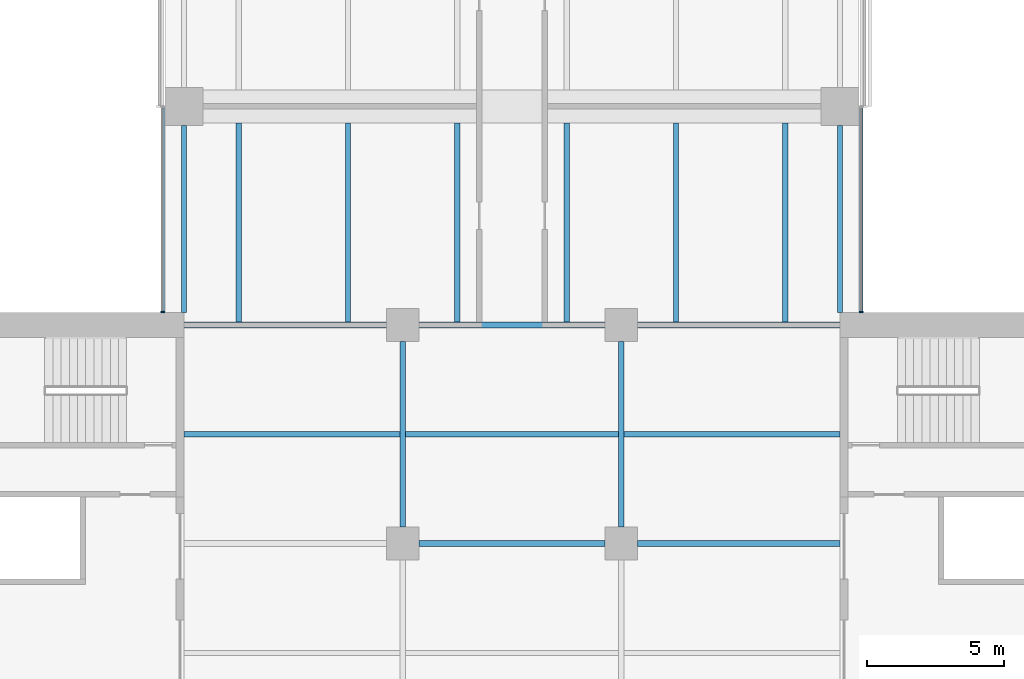
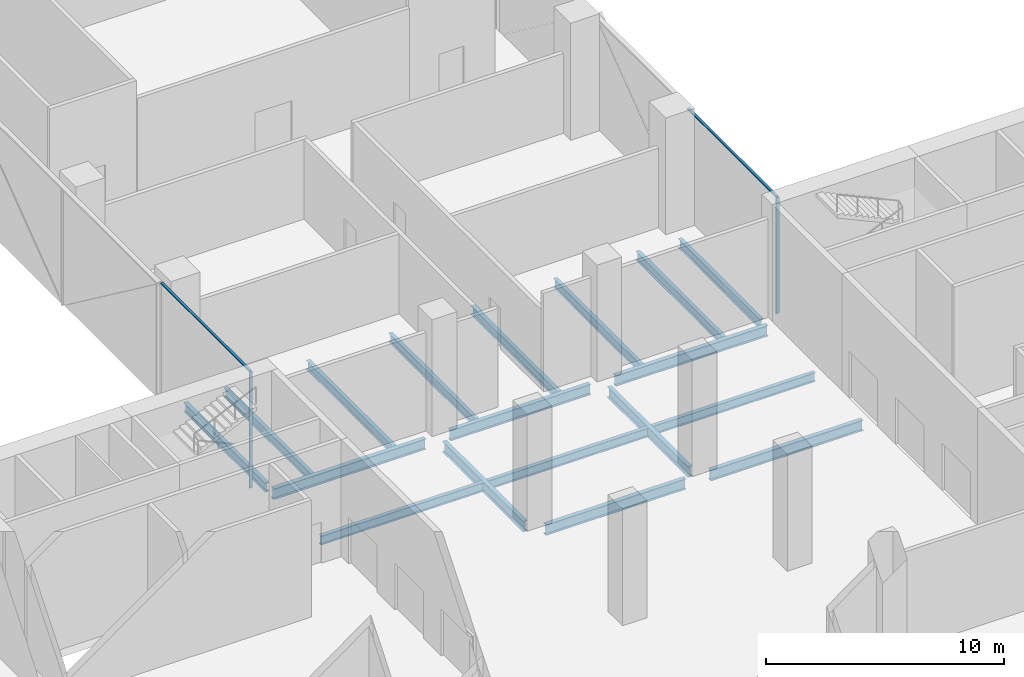
# One storey, part 6 of 23: 18 beams, 4 members, 2 elements without a shape of their own.
"""IFC4 building model written with IfcOpenShell, lengths in metres."""

from ifc_helpers import new_model, si_unit, direction, frame, origin, origin_2d, place, context, subcontext, project, spatial, rectangle, i_section, extrude, material, material_profile, profile_set, type_object, element, aggregate, save


model = new_model("IFC4")

# Units and contexts
model_context = context("Model", 3, precision=1e-05, world=origin(), true_north=direction((0.0, 1.0)))
body_context = subcontext(model_context, "Body", "Model", "MODEL_VIEW")
ifc_project = project(units=[si_unit("LENGTHUNIT", "METRE"), si_unit("AREAUNIT", "SQUARE_METRE"), si_unit("VOLUMEUNIT", "CUBIC_METRE"), si_unit("PLANEANGLEUNIT", "RADIAN"), si_unit("MASSUNIT", "GRAM", prefix="KILO")], contexts=[model_context])

# Site, building, storey
site_placement = place(None, origin())
site = spatial("IfcSite", under=ifc_project, at=site_placement, CompositionType="ELEMENT")
building_placement = place(site_placement, origin())
building = spatial("IfcBuilding", under=site, at=building_placement, Name="Crosswind Convention Tower", CompositionType="ELEMENT")
storey_placement = place(building_placement, frame((0.0, 0.0, 41.5)))
storey = spatial("IfcBuildingStorey", under=building, at=storey_placement, Name="L05", CompositionType="ELEMENT", Elevation=41.5)

# Beams
ifc_material_1 = material(Name="Steel S355", Category="steel")
ifc_material_profile_1 = material_profile(ifc_material_1, i_section(OverallWidth=0.19287109375, OverallDepth=0.467529296875, WebThickness=0.011474609375, FlangeThickness=0.01953125, FilletRadius=0.01025390625, at=origin_2d()), Name="UB 457x191x98")
ifc_profile_set_1 = profile_set([ifc_material_profile_1], Name="Steel S355")
beam_type_1 = type_object("IfcBeamType", Name="Edge beam UB 457x191x98", PredefinedType="SPANDREL", material=ifc_profile_set_1)
for number, where, z_axis, x_axis, name in (
    (1, (113.0, 112.449951171875, -0.6337890625), (0.0, 1.0, 0.0), (-1.0, 0.0, 0.0), "B20 L05 edge beam 9"),
    (2, (137.0, 112.449951171875, -0.6337890625), (0.0, 1.0, 0.0), (-1.0, 0.0, 0.0), "B20 L05 edge beam 17"),
):
    element("IfcBeam", number, at=place(storey_placement, frame(where, z_axis=z_axis, x_axis=x_axis)), inside=storey, type_object=beam_type_1, Name=name, PredefinedType="SPANDREL", context=body_context, shape_type="SweptSolid", body=[
        extrude(i_section(OverallWidth=0.19287109375, OverallDepth=0.467529296875, WebThickness=0.011474609375, FlangeThickness=0.01953125, FilletRadius=0.01025390625, at=origin_2d()), origin(), (0.0, 0.0, 1.0), 6.85009765625),
    ])
ifc_material_profile_2 = material_profile(ifc_material_1, i_section(OverallWidth=0.2119140625, OverallDepth=0.544677734375, WebThickness=0.0126953125, FlangeThickness=0.021240234375, FilletRadius=0.0126953125, at=origin_2d()), Name="UB 533x210x122")
ifc_profile_set_2 = profile_set([ifc_material_profile_2], Name="Steel S355")
beam_type_2 = type_object("IfcBeamType", Name="Girder UB 533x210x122", PredefinedType="BEAM", material=ifc_profile_set_2)
for number, where, z_axis, x_axis, name in (
    (3, (121.0, 104.60009765625, -0.67236328125), (0.0, 1.0, 0.0), (-1.0, 0.0, 0.0), "B6 L05 girder 3"),
    (4, (121.60009765625, 104.0, -0.67236328125), (1.0, 0.0, 0.0), (0.0, 1.0, 0.0), "B6 L05 girder 6"),
    (5, (121.60009765625, 112.0, -0.67236328125), (1.0, 0.0, 0.0), (0.0, 1.0, 0.0), "B6 L05 girder 7"),
    (6, (129.0, 104.60009765625, -0.67236328125), (0.0, 1.0, 0.0), (-1.0, 0.0, 0.0), "B6 L05 girder 10"),
):
    element("IfcBeam", number, at=place(storey_placement, frame(where, z_axis=z_axis, x_axis=x_axis)), inside=storey, type_object=beam_type_2, Name=name, PredefinedType="BEAM", context=body_context, shape_type="SweptSolid", body=[
        extrude(i_section(OverallWidth=0.2119140625, OverallDepth=0.544677734375, WebThickness=0.0126953125, FlangeThickness=0.021240234375, FilletRadius=0.0126953125, at=origin_2d()), origin(), (0.0, 0.0, 1.0), 6.7998046875),
    ])
ifc_material_profile_3 = material_profile(ifc_material_1, i_section(OverallWidth=0.214111328125, OverallDepth=0.549072265625, WebThickness=0.0146484375, FlangeThickness=0.023681640625, FilletRadius=0.0126953125, at=origin_2d()), Name="UB 533x210x138")
ifc_profile_set_3 = profile_set([ifc_material_profile_3], Name="Steel S355")
beam_type_3 = type_object("IfcBeamType", Name="Girder at core wall UB 533x210x138", PredefinedType="BEAM", material=ifc_profile_set_3)
for number, where, z_axis, x_axis, name in (
    (7, (113.0, 112.0, -0.674560546875), (1.0, 0.0, 0.0), (0.0, 1.0, 0.0), "B27 L05 girder at core wall 4"),
    (8, (129.60009765625, 104.0, -0.674560546875), (1.0, 0.0, 0.0), (0.0, 1.0, 0.0), "B27 L05 girder at core wall 7"),
    (9, (129.60009765625, 112.0, -0.674560546875), (1.0, 0.0, 0.0), (0.0, 1.0, 0.0), "B27 L05 girder at core wall 8"),
):
    element("IfcBeam", number, at=place(storey_placement, frame(where, z_axis=z_axis, x_axis=x_axis)), inside=storey, type_object=beam_type_3, Name=name, PredefinedType="BEAM", context=body_context, shape_type="SweptSolid", body=[
        extrude(i_section(OverallWidth=0.214111328125, OverallDepth=0.549072265625, WebThickness=0.0146484375, FlangeThickness=0.023681640625, FilletRadius=0.0126953125, at=origin_2d()), origin(), (0.0, 0.0, 1.0), 7.39990234375),
    ])

# Curtain wall, member
ifc_material_2 = material(Name="Aluminium unitised curtain wall", Category="aluminium")
curtain_wall_type = type_object("IfcCurtainWallType", Name="CORE END SLOT WALL 160", PredefinedType="USERDEFINED", material=ifc_material_2)
curtain_wall_1_placement = place(storey_placement, origin())
curtain_wall_1 = element("IfcCurtainWall", 10, at=curtain_wall_1_placement, inside=storey, type_object=curtain_wall_type, Name="CW6 L05 N-E.1-1 slot", ObjectType="UNITISED", PredefinedType="USERDEFINED")
ifc_material_3 = material(Name="Aluminium mullion", Category="aluminium")
ifc_material_profile_4 = material_profile(ifc_material_3, rectangle(XDim=0.159912109375, YDim=0.050048828125, at=origin_2d()), Name="AL 160X50")
ifc_profile_set_4 = profile_set([ifc_material_profile_4], Name="Aluminium mullion")
member_type_1 = type_object("IfcMemberType", Name="MULLION 50X160", PredefinedType="MULLION", material=ifc_profile_set_4)
member_1_placement = place(storey_placement, frame((137.780029296875, 112.47509765625, -0.39990234375), z_axis=(0.0, 0.0, 1.0), x_axis=(1.0, 0.0, 0.0)))
member_1 = element("IfcMember", 11, at=member_1_placement, type_object=member_type_1, Name="CW6 mullion 1", PredefinedType="MULLION", context=body_context, shape_type="SweptSolid", body=[
    extrude(rectangle(XDim=0.159912109375, YDim=0.050048828125, at=origin_2d()), origin(), (0.0, 0.0, 1.0), 5.949951171875),
])

curtain_wall_2_placement = place(storey_placement, origin())
curtain_wall_2 = element("IfcCurtainWall", 12, at=curtain_wall_2_placement, inside=storey, type_object=curtain_wall_type, Name="CW6 L05 N-W.1-4 slot", ObjectType="UNITISED", PredefinedType="USERDEFINED")
member_2_placement = place(storey_placement, frame((112.219970703125, 112.47509765625, -0.39990234375), z_axis=(0.0, 0.0, 1.0), x_axis=(-1.0, 0.0, 0.0)))
member_2 = element("IfcMember", 13, at=member_2_placement, type_object=member_type_1, Name="CW6 mullion 2", PredefinedType="MULLION", context=body_context, shape_type="SweptSolid", body=[
    extrude(rectangle(XDim=0.159912109375, YDim=0.050048828125, at=origin_2d()), origin(), (0.0, 0.0, 1.0), 5.949951171875),
])

# Beams
ifc_material_profile_5 = material_profile(ifc_material_1, i_section(OverallWidth=0.19140625, OverallDepth=0.460205078125, WebThickness=0.010009765625, FlangeThickness=0.01611328125, FilletRadius=0.01025390625, at=origin_2d()), Name="UB 457x191x82")
ifc_profile_set_5 = profile_set([ifc_material_profile_5], Name="Steel S355")
beam_type_4 = type_object("IfcBeamType", Name="Secondary beam UB 457x191x82", PredefinedType="JOIST", material=ifc_profile_set_5)
beam_1_placement = place(storey_placement, frame((113.0, 108.0, -0.630126953125), z_axis=(1.0, 0.0, 0.0), x_axis=(0.0, 1.0, 0.0)))
element("IfcBeam", 14, at=beam_1_placement, inside=storey, type_object=beam_type_4, Name="B13 L05 secondary beam 13", PredefinedType="JOIST", context=body_context, shape_type="SweptSolid", body=[
    extrude(i_section(OverallWidth=0.19140625, OverallDepth=0.460205078125, WebThickness=0.010009765625, FlangeThickness=0.01611328125, FilletRadius=0.01025390625, at=origin_2d()), origin(), (0.0, 0.0, 1.0), 7.89404296875),
])
for number, where, z_axis, x_axis, name in (
    (15, (115.0, 112.10693359375, -0.630126953125), (0.0, 1.0, 0.0), (-1.0, 0.0, 0.0), "B13 L05 secondary beam 17"),
    (16, (119.0, 112.10693359375, -0.630126953125), (0.0, 1.0, 0.0), (-1.0, 0.0, 0.0), "B13 L05 secondary beam 24"),
):
    element("IfcBeam", number, at=place(storey_placement, frame(where, z_axis=z_axis, x_axis=x_axis)), inside=storey, type_object=beam_type_4, Name=name, PredefinedType="JOIST", context=body_context, shape_type="SweptSolid", body=[
        extrude(i_section(OverallWidth=0.19140625, OverallDepth=0.460205078125, WebThickness=0.010009765625, FlangeThickness=0.01611328125, FilletRadius=0.01025390625, at=origin_2d()), origin(), (0.0, 0.0, 1.0), 7.29296875),
    ])
beam_2_placement = place(storey_placement, frame((121.10595703125, 108.0, -0.630126953125), z_axis=(1.0, 0.0, 0.0), x_axis=(0.0, 1.0, 0.0)))
element("IfcBeam", 17, at=beam_2_placement, inside=storey, type_object=beam_type_4, Name="B13 L05 secondary beam 30", PredefinedType="JOIST", context=body_context, shape_type="SweptSolid", body=[
    extrude(i_section(OverallWidth=0.19140625, OverallDepth=0.460205078125, WebThickness=0.010009765625, FlangeThickness=0.01611328125, FilletRadius=0.01025390625, at=origin_2d()), origin(), (0.0, 0.0, 1.0), 7.7880859375),
])
for number, where, z_axis, x_axis, name in (
    (18, (123.0, 112.10595703125, -0.630126953125), (0.0, 1.0, 0.0), (-1.0, 0.0, 0.0), "B13 L05 secondary beam 35"),
    (19, (127.0, 112.10595703125, -0.630126953125), (0.0, 1.0, 0.0), (-1.0, 0.0, 0.0), "B13 L05 secondary beam 43"),
):
    element("IfcBeam", number, at=place(storey_placement, frame(where, z_axis=z_axis, x_axis=x_axis)), inside=storey, type_object=beam_type_4, Name=name, PredefinedType="JOIST", context=body_context, shape_type="SweptSolid", body=[
        extrude(i_section(OverallWidth=0.19140625, OverallDepth=0.460205078125, WebThickness=0.010009765625, FlangeThickness=0.01611328125, FilletRadius=0.01025390625, at=origin_2d()), origin(), (0.0, 0.0, 1.0), 7.2939453125),
    ])
beam_3_placement = place(storey_placement, frame((129.10595703125, 108.0, -0.630126953125), z_axis=(1.0, 0.0, 0.0), x_axis=(0.0, 1.0, 0.0)))
element("IfcBeam", 20, at=beam_3_placement, inside=storey, type_object=beam_type_4, Name="B13 L05 secondary beam 49", PredefinedType="JOIST", context=body_context, shape_type="SweptSolid", body=[
    extrude(i_section(OverallWidth=0.19140625, OverallDepth=0.460205078125, WebThickness=0.010009765625, FlangeThickness=0.01611328125, FilletRadius=0.01025390625, at=origin_2d()), origin(), (0.0, 0.0, 1.0), 7.89404296875),
])
for number, where, z_axis, x_axis, name in (
    (21, (131.0, 112.10693359375, -0.630126953125), (0.0, 1.0, 0.0), (-1.0, 0.0, 0.0), "B13 L05 secondary beam 54"),
    (22, (135.0, 112.10693359375, -0.630126953125), (0.0, 1.0, 0.0), (-1.0, 0.0, 0.0), "B13 L05 secondary beam 61"),
):
    element("IfcBeam", number, at=place(storey_placement, frame(where, z_axis=z_axis, x_axis=x_axis)), inside=storey, type_object=beam_type_4, Name=name, PredefinedType="JOIST", context=body_context, shape_type="SweptSolid", body=[
        extrude(i_section(OverallWidth=0.19140625, OverallDepth=0.460205078125, WebThickness=0.010009765625, FlangeThickness=0.01611328125, FilletRadius=0.01025390625, at=origin_2d()), origin(), (0.0, 0.0, 1.0), 7.29296875),
    ])

# Member
ifc_material_4 = material(Name="Aluminium transom", Category="aluminium")
ifc_material_profile_6 = material_profile(ifc_material_4, rectangle(XDim=0.1201171875, YDim=0.050048828125, at=origin_2d()), Name="AL 120X50")
ifc_profile_set_6 = profile_set([ifc_material_profile_6], Name="Aluminium transom")
member_type_2 = type_object("IfcMemberType", Name="TRANSOM 50X120", PredefinedType="USERDEFINED", material=ifc_profile_set_6)
member_3_placement = place(storey_placement, frame((137.780029296875, 112.5, 5.574951171875), z_axis=(0.0, 1.0, 0.0), x_axis=(-1.0, 0.0, 0.0)))
member_3 = element("IfcMember", 23, at=member_3_placement, type_object=member_type_2, Name="CW6 transom", ObjectType="TRANSOM", PredefinedType="USERDEFINED", context=body_context, shape_type="SweptSolid", body=[
    extrude(rectangle(XDim=0.1201171875, YDim=0.050048828125, at=origin_2d()), origin(), (0.0, 0.0, 1.0), 7.449951171875),
])

aggregate(curtain_wall_1, [member_1, member_3])

member_4_placement = place(storey_placement, frame((112.219970703125, 119.949951171875, 5.574951171875), z_axis=(0.0, -1.0, 0.0), x_axis=(1.0, 0.0, 0.0)))
member_4 = element("IfcMember", 24, at=member_4_placement, type_object=member_type_2, Name="CW6 transom", ObjectType="TRANSOM", PredefinedType="USERDEFINED", context=body_context, shape_type="SweptSolid", body=[
    extrude(rectangle(XDim=0.1201171875, YDim=0.050048828125, at=origin_2d()), origin(), (0.0, 0.0, 1.0), 7.449951171875),
])

aggregate(curtain_wall_2, [member_2, member_4])

save(model, "model.ifc")
